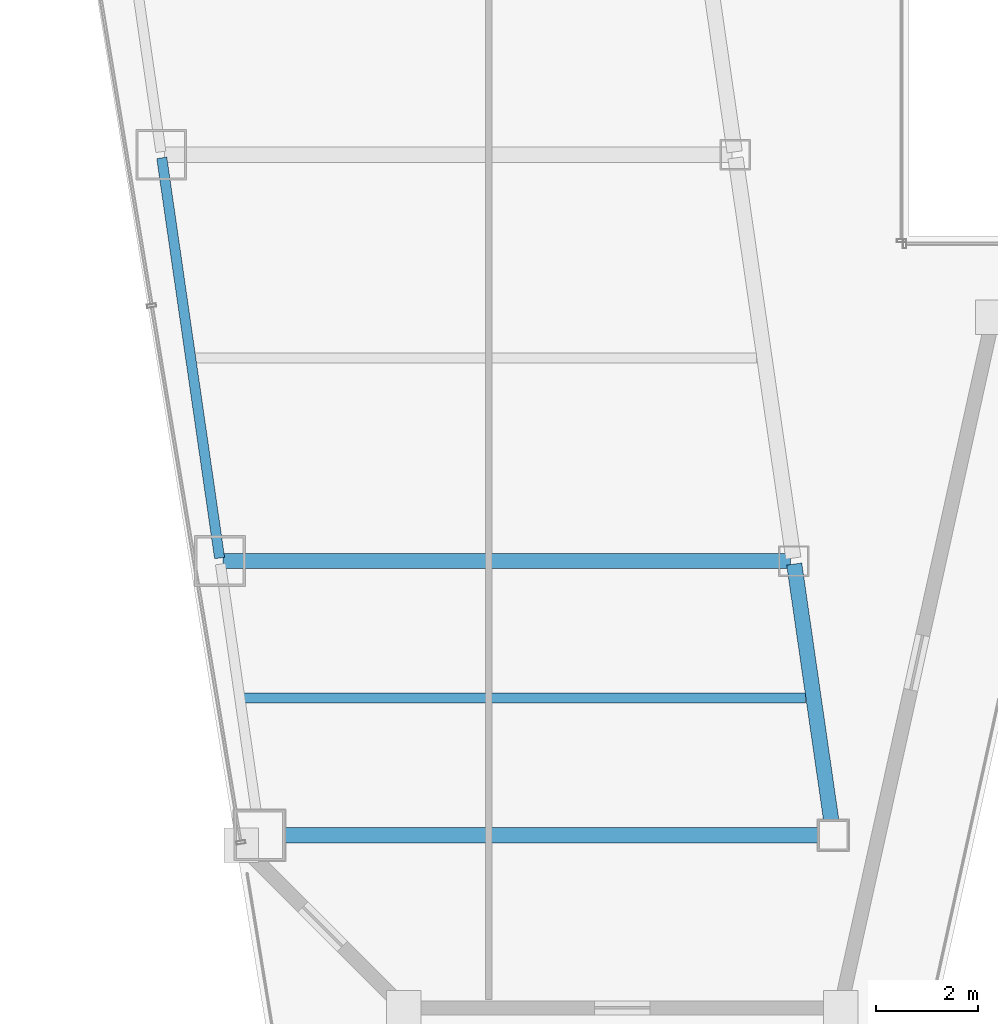
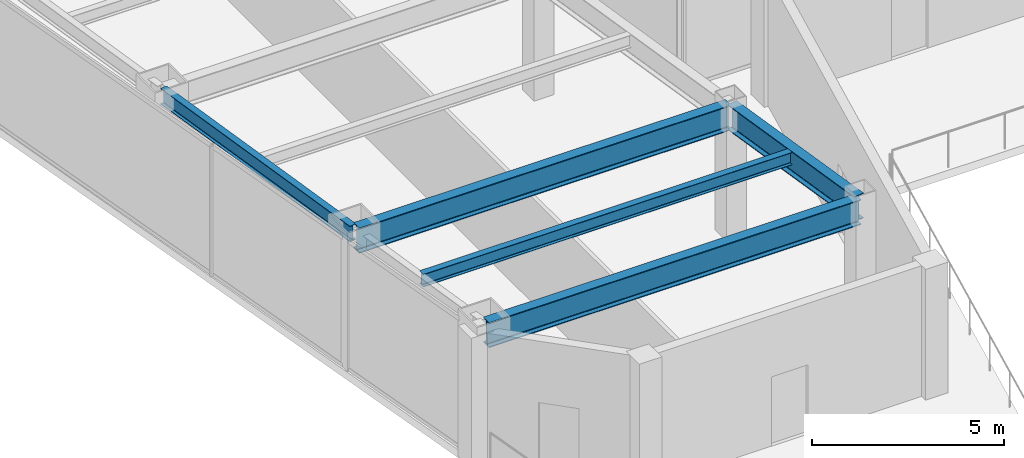
# One storey, part 3 of 35: 5 beams.
"""IFC4 building model written with IfcOpenShell, lengths in metres."""

from ifc_helpers import new_model, si_unit, direction, frame, origin, origin_2d, place, context, subcontext, project, spatial, i_section, extrude, material, material_profile, profile_set, type_object, element, save


model = new_model("IFC4")

# Units and contexts
model_context = context("Model", 3, precision=1e-05, world=origin(), true_north=direction((0.0, 1.0)))
body_context = subcontext(model_context, "Body", "Model", "MODEL_VIEW")
ifc_project = project(units=[si_unit("LENGTHUNIT", "METRE"), si_unit("AREAUNIT", "SQUARE_METRE"), si_unit("VOLUMEUNIT", "CUBIC_METRE"), si_unit("PLANEANGLEUNIT", "RADIAN"), si_unit("MASSUNIT", "GRAM", prefix="KILO")], contexts=[model_context])

# Site, building, storey
site_placement = place(None, origin())
site = spatial("IfcSite", under=ifc_project, at=site_placement, CompositionType="ELEMENT")
building_placement = place(site_placement, origin())
building = spatial("IfcBuilding", under=site, at=building_placement, Name="Saevonmaru Cultural Tower", CompositionType="ELEMENT")
storey_placement = place(building_placement, frame((0.0, 0.0, 101.60009765625)))
storey = spatial("IfcBuildingStorey", under=building, at=storey_placement, Name="L21", CompositionType="ELEMENT", Elevation=101.60009765625)

# Beams
ifc_material_1 = material(Name="Steel SM420", Category="steel")
ifc_material_profile_1 = material_profile(ifc_material_1, i_section(OverallWidth=0.300048828125, OverallDepth=0.800048828125, WebThickness=0.013916015625, FlangeThickness=0.02587890625, FilletRadius=0.028076171875, at=origin_2d()), Name="H-800x300x14x26")
ifc_profile_set_1 = profile_set([ifc_material_profile_1], Name="Steel SM420")
beam_type_1 = type_object("IfcBeamType", Name="BM-G-H800", PredefinedType="BEAM", material=ifc_profile_set_1)
beam_1_placement = place(storey_placement, frame((22.699462890625, 10.659423828125, 3.75), z_axis=(-0.142977693794, 0.989725911087, 0.0), x_axis=(-0.989725911087, -0.142977693794, 0.0)))
element("IfcBeam", 1, at=beam_1_placement, inside=storey, type_object=beam_type_1, Name="L21 West Atrium Girder 1", PredefinedType="BEAM", context=body_context, shape_type="SweptSolid", body=[
    extrude(i_section(OverallWidth=0.300048828125, OverallDepth=0.800048828125, WebThickness=0.013916015625, FlangeThickness=0.02587890625, FilletRadius=0.028076171875, at=origin_2d()), origin(), (0.0, 0.0, 1.0), 5.336181640625),
])
for number, where, z_axis, x_axis, name in (
    (2, (11.468017578125, 10.60009765625, 3.75), (1.0, 0.0, 0.0), (0.0, 1.0, 0.0), "L21 West Wing Transverse Girder 1"),
    (3, (10.68798828125, 16.0, 3.75), (1.0, 0.0, 0.0), (0.0, 1.0, 0.0), "L21 West Wing Transverse Girder 2"),
):
    element("IfcBeam", number, at=place(storey_placement, frame(where, z_axis=z_axis, x_axis=x_axis)), inside=storey, type_object=beam_type_1, Name=name, PredefinedType="BEAM", context=body_context, shape_type="SweptSolid", body=[
        extrude(i_section(OverallWidth=0.300048828125, OverallDepth=0.800048828125, WebThickness=0.013916015625, FlangeThickness=0.02587890625, FilletRadius=0.028076171875, at=origin_2d()), origin(), (0.0, 0.0, 1.0), 11.179931640625),
    ])
ifc_material_2 = material(Name="Steel SM355", Category="steel")
ifc_material_profile_2 = material_profile(ifc_material_2, i_section(OverallWidth=0.199951171875, OverallDepth=0.39990234375, WebThickness=0.008056640625, FlangeThickness=0.012939453125, FilletRadius=0.01611328125, at=origin_2d()), Name="H-400x200x8x13")
ifc_profile_set_2 = profile_set([ifc_material_profile_2], Name="Steel SM355")
beam_type_2 = type_object("IfcBeamType", Name="BM-J-H400", PredefinedType="JOIST", material=ifc_profile_set_2)
beam_2_placement = place(storey_placement, frame((11.077880859375, 13.300048828125, 3.949951171875), z_axis=(1.0, 0.0, 0.0), x_axis=(0.0, 1.0, 0.0)))
element("IfcBeam", 4, at=beam_2_placement, inside=storey, type_object=beam_type_2, Name="L21 West Wing Floor Joist 1", PredefinedType="JOIST", context=body_context, shape_type="SweptSolid", body=[
    extrude(i_section(OverallWidth=0.199951171875, OverallDepth=0.39990234375, WebThickness=0.008056640625, FlangeThickness=0.012939453125, FilletRadius=0.01611328125, at=origin_2d()), origin(), (0.0, 0.0, 1.0), 11.08203125),
])
ifc_material_profile_3 = material_profile(ifc_material_2, i_section(OverallWidth=0.199951171875, OverallDepth=0.5, WebThickness=0.010009765625, FlangeThickness=0.01611328125, FilletRadius=0.02001953125, at=origin_2d()), Name="H-500x200x10x16")
ifc_profile_set_3 = profile_set([ifc_material_profile_3], Name="Steel SM355")
beam_type_3 = type_object("IfcBeamType", Name="BM-SP-H500", PredefinedType="SPANDREL", material=ifc_profile_set_3)
beam_3_placement = place(storey_placement, frame((10.619384765625, 16.059326171875, 3.89990234375), z_axis=(-0.142992129437, 0.989723825579, 0.0), x_axis=(-0.989723825579, -0.142992129437, 0.0)))
element("IfcBeam", 5, at=beam_3_placement, inside=storey, type_object=beam_type_3, Name="L21 West Splayed Spandrel 2", PredefinedType="SPANDREL", context=body_context, shape_type="SweptSolid", body=[
    extrude(i_section(OverallWidth=0.199951171875, OverallDepth=0.5, WebThickness=0.010009765625, FlangeThickness=0.01611328125, FilletRadius=0.02001953125, at=origin_2d()), origin(), (0.0, 0.0, 1.0), 7.963134765625),
])

save(model, "model.ifc")
